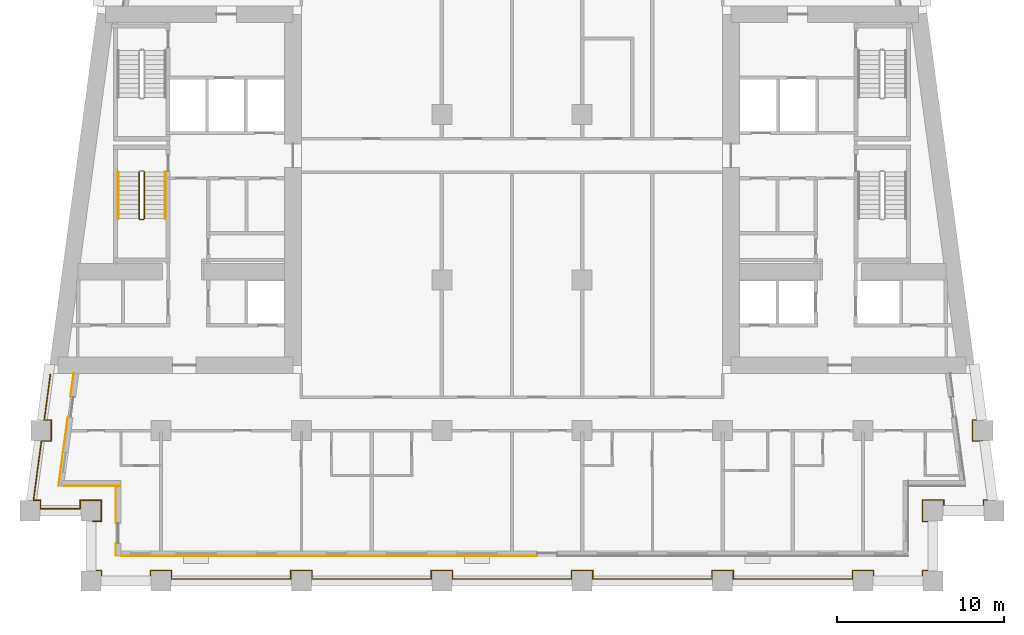
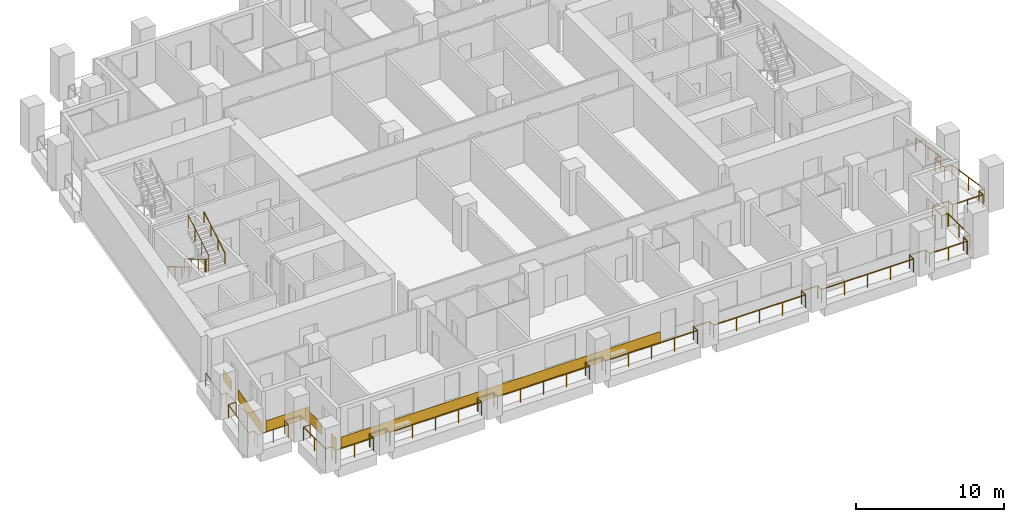
# One storey, part 9 of 13: 6 coverings, 5 railings.
"""IFC4 building model written with IfcOpenShell, lengths in metres."""

from ifc_helpers import new_model, si_unit, direction, frame, origin, origin_2d, place, context, subcontext, project, spatial, rectangle, circle, extrude, material, layer, layer_set, type_object, element, save


model = new_model("IFC4")

# Units and contexts
model_context = context("Model", 3, precision=1e-05, world=origin(), true_north=direction((0.0, 1.0)))
body_context = subcontext(model_context, "Body", "Model", "MODEL_VIEW")
ifc_project = project(units=[si_unit("LENGTHUNIT", "METRE"), si_unit("AREAUNIT", "SQUARE_METRE"), si_unit("VOLUMEUNIT", "CUBIC_METRE"), si_unit("PLANEANGLEUNIT", "RADIAN"), si_unit("MASSUNIT", "GRAM", prefix="KILO")], contexts=[model_context])

# Site, building, storey
site_placement = place(None, origin())
site = spatial("IfcSite", under=ifc_project, at=site_placement, CompositionType="ELEMENT")
building_placement = place(site_placement, origin())
building = spatial("IfcBuilding", under=site, at=building_placement, Name="Candeia Pilgrim Tower and Theatre", CompositionType="ELEMENT")
storey_placement = place(building_placement, frame((0.0, 0.0, 113.199951171875)))
storey = spatial("IfcBuildingStorey", under=building, at=storey_placement, Name="L26", CompositionType="ELEMENT", Elevation=113.199951171875)

# Railings
ifc_material_1 = material(Name="Stainless steel balustrade", Category="steel")
railing_type_1 = type_object("IfcRailingType", Name="G1 loggia guard 1100", PredefinedType="GUARDRAIL", material=ifc_material_1)
railing_1_placement = place(storey_placement, frame((88.320068359375, 101.570068359375, 0.0)))
element("IfcRailing", 1, at=railing_1_placement, inside=storey, type_object=railing_type_1, Name="Guard L26.1", PredefinedType="GUARDRAIL", context=body_context, shape_type="SweptSolid", body=[
    extrude(circle(Radius=0.02392578125, at=origin_2d()), frame((0.0, 0.0, 1.076171875), z_axis=(1.0, 0.0, 0.0), x_axis=(0.0, 1.0, 0.0)), (0.0, 0.0, 1.0), 0.510009765625),
    extrude(circle(Radius=0.02392578125, at=origin_2d()), frame((0.510009765625, 0.0, 1.076171875), z_axis=(0.0, 1.0, 0.0), x_axis=(-1.0, 0.0, 0.0)), (0.0, 0.0, 1.0), 1.260009765625),
    extrude(circle(Radius=0.02392578125, at=origin_2d()), frame((0.510009765625, 1.260009765625, 1.076171875), z_axis=(-1.0, 0.0, 0.0), x_axis=(0.0, -1.0, 0.0)), (0.0, 0.0, 1.0), 1.260009765625),
    extrude(circle(Radius=0.02392578125, at=origin_2d()), frame((-0.75, 1.260009765625, 1.076171875), z_axis=(0.0, -1.0, 0.0), x_axis=(1.0, 0.0, 0.0)), (0.0, 0.0, 1.0), 0.510009765625),
    extrude(circle(Radius=0.02392578125, at=origin_2d()), frame((-0.75, 0.75, 1.076171875), z_axis=(-1.0, 0.0, 0.0), x_axis=(0.0, -1.0, 0.0)), (0.0, 0.0, 1.0), 2.374755859375),
    extrude(circle(Radius=0.02392578125, at=origin_2d()), frame((-3.124755859375, 0.75, 1.076171875), z_axis=(0.0, 1.0, 0.0), x_axis=(-1.0, 0.0, 0.0)), (0.0, 0.0, 1.0), 0.510009765625),
    extrude(circle(Radius=0.02392578125, at=origin_2d()), frame((-3.124755859375, 1.260009765625, 1.076171875), z_axis=(-1.0, 0.0, 0.0), x_axis=(0.0, -1.0, 0.0)), (0.0, 0.0, 1.0), 0.424072265625),
    extrude(circle(Radius=0.02392578125, at=origin_2d()), frame((-3.548828125, 1.260009765625, 1.076171875), z_axis=(0.133417176173, 0.991059966451, 0.0), x_axis=(-0.991059966451, 0.133417176173, 0.0)), (0.0, 0.0, 1.0), 3.572021484375),
    extrude(circle(Radius=0.02392578125, at=origin_2d()), frame((-3.072265625, 4.800048828125, 1.076171875), z_axis=(1.0, 0.0, 0.0), x_axis=(0.0, 1.0, 0.0)), (0.0, 0.0, 1.0), 0.59375),
    extrude(circle(Radius=0.02392578125, at=origin_2d()), frame((-2.478515625, 4.800048828125, 1.076171875), z_axis=(0.0, 1.0, 0.0), x_axis=(-1.0, 0.0, 0.0)), (0.0, 0.0, 1.0), 1.259765625),
    extrude(circle(Radius=0.02392578125, at=origin_2d()), frame((-2.478515625, 6.059814453125, 1.076171875), z_axis=(-1.0, 0.0, 0.0), x_axis=(0.0, -1.0, 0.0)), (0.0, 0.0, 1.0), 0.424072265625),
    extrude(circle(Radius=0.02392578125, at=origin_2d()), frame((-2.902587890625, 6.059814453125, 1.076171875), z_axis=(0.1334220927, 0.991059304572, 0.0), x_axis=(-0.991059304572, 0.1334220927, 0.0)), (0.0, 0.0, 1.0), 2.744873046875),
    extrude(circle(Radius=0.02099609375, at=origin_2d()), origin(), (0.0, 0.0, 1.0), 1.052001953125),
    extrude(circle(Radius=0.02099609375, at=origin_2d()), frame((0.510009765625, 0.0, 0.0)), (0.0, 0.0, 1.0), 1.052001953125),
    extrude(circle(Radius=0.02099609375, at=origin_2d()), frame((0.510009765625, 1.260009765625, 0.0)), (0.0, 0.0, 1.0), 1.052001953125),
    extrude(circle(Radius=0.02099609375, at=origin_2d()), frame((-0.75, 1.260009765625, 0.0)), (0.0, 0.0, 1.0), 1.052001953125),
    extrude(circle(Radius=0.02099609375, at=origin_2d()), frame((-0.75, 0.75, 0.0)), (0.0, 0.0, 1.0), 1.052001953125),
    extrude(circle(Radius=0.02099609375, at=origin_2d()), frame((-1.9375, 0.75, 0.0)), (0.0, 0.0, 1.0), 1.052001953125),
    extrude(circle(Radius=0.02099609375, at=origin_2d()), frame((-3.124755859375, 0.75, 0.0)), (0.0, 0.0, 1.0), 1.052001953125),
    extrude(circle(Radius=0.02099609375, at=origin_2d()), frame((-3.124755859375, 1.260009765625, 0.0)), (0.0, 0.0, 1.0), 1.052001953125),
    extrude(circle(Radius=0.02099609375, at=origin_2d()), frame((-3.548828125, 1.260009765625, 0.0)), (0.0, 0.0, 1.0), 1.052001953125),
    extrude(circle(Radius=0.02099609375, at=origin_2d()), frame((-3.310546875, 3.030029296875, 0.0)), (0.0, 0.0, 1.0), 1.052001953125),
    extrude(circle(Radius=0.02099609375, at=origin_2d()), frame((-3.072265625, 4.800048828125, 0.0)), (0.0, 0.0, 1.0), 1.052001953125),
    extrude(circle(Radius=0.02099609375, at=origin_2d()), frame((-2.478515625, 4.800048828125, 0.0)), (0.0, 0.0, 1.0), 1.052001953125),
    extrude(circle(Radius=0.02099609375, at=origin_2d()), frame((-2.478515625, 6.059814453125, 0.0)), (0.0, 0.0, 1.0), 1.052001953125),
    extrude(circle(Radius=0.02099609375, at=origin_2d()), frame((-2.902587890625, 6.059814453125, 0.0)), (0.0, 0.0, 1.0), 1.052001953125),
    extrude(circle(Radius=0.02099609375, at=origin_2d()), frame((-2.719482421875, 7.419921875, 0.0)), (0.0, 0.0, 1.0), 1.052001953125),
    extrude(circle(Radius=0.02099609375, at=origin_2d()), frame((-2.536376953125, 8.780029296875, 0.0)), (0.0, 0.0, 1.0), 1.052001953125),
])
railing_2_placement = place(storey_placement, frame((141.016357421875, 110.35009765625, 0.0)))
element("IfcRailing", 2, at=railing_2_placement, inside=storey, type_object=railing_type_1, Name="Guard L26.4", PredefinedType="GUARDRAIL", context=body_context, shape_type="SweptSolid", body=[
    extrude(circle(Radius=0.02392578125, at=origin_2d()), frame((0.0, 0.0, 1.076171875), z_axis=(0.1334220927, -0.991059304572, 0.0), x_axis=(0.991059304572, 0.1334220927, 0.0)), (0.0, 0.0, 1.0), 2.744873046875),
    extrude(circle(Radius=0.02392578125, at=origin_2d()), frame((0.3662109375, -2.72021484375, 1.076171875), z_axis=(-1.0, 0.0, 0.0), x_axis=(0.0, -1.0, 0.0)), (0.0, 0.0, 1.0), 0.424072265625),
    extrude(circle(Radius=0.02392578125, at=origin_2d()), frame((-0.057861328125, -2.72021484375, 1.076171875), z_axis=(0.0, -1.0, 0.0), x_axis=(1.0, 0.0, 0.0)), (0.0, 0.0, 1.0), 1.259765625),
    extrude(circle(Radius=0.02392578125, at=origin_2d()), frame((-0.057861328125, -3.97998046875, 1.076171875), z_axis=(1.0, 0.0, 0.0), x_axis=(0.0, 1.0, 0.0)), (0.0, 0.0, 1.0), 0.59375),
    extrude(circle(Radius=0.02392578125, at=origin_2d()), frame((0.535888671875, -3.97998046875, 1.076171875), z_axis=(0.133417176173, -0.991059966451, 0.0), x_axis=(0.991059966451, 0.133417176173, 0.0)), (0.0, 0.0, 1.0), 3.572021484375),
    extrude(circle(Radius=0.02392578125, at=origin_2d()), frame((1.012451171875, -7.52001953125, 1.076171875), z_axis=(-1.0, 0.0, 0.0), x_axis=(0.0, -1.0, 0.0)), (0.0, 0.0, 1.0), 0.424072265625),
    extrude(circle(Radius=0.02392578125, at=origin_2d()), frame((0.58837890625, -7.52001953125, 1.076171875), z_axis=(0.0, -1.0, 0.0), x_axis=(1.0, 0.0, 0.0)), (0.0, 0.0, 1.0), 0.510009765625),
    extrude(circle(Radius=0.02392578125, at=origin_2d()), frame((0.58837890625, -8.030029296875, 1.076171875), z_axis=(-1.0, 0.0, 0.0), x_axis=(0.0, -1.0, 0.0)), (0.0, 0.0, 1.0), 2.374755859375),
    extrude(circle(Radius=0.02392578125, at=origin_2d()), frame((-1.786376953125, -8.030029296875, 1.076171875), z_axis=(0.0, 1.0, 0.0), x_axis=(-1.0, 0.0, 0.0)), (0.0, 0.0, 1.0), 0.510009765625),
    extrude(circle(Radius=0.02392578125, at=origin_2d()), frame((-1.786376953125, -7.52001953125, 1.076171875), z_axis=(-1.0, 0.0, 0.0), x_axis=(0.0, -1.0, 0.0)), (0.0, 0.0, 1.0), 1.260009765625),
    extrude(circle(Radius=0.02392578125, at=origin_2d()), frame((-3.04638671875, -7.52001953125, 1.076171875), z_axis=(0.0, -1.0, 0.0), x_axis=(1.0, 0.0, 0.0)), (0.0, 0.0, 1.0), 1.260009765625),
    extrude(circle(Radius=0.02392578125, at=origin_2d()), frame((-3.04638671875, -8.780029296875, 1.076171875), z_axis=(1.0, 0.0, 0.0), x_axis=(0.0, 1.0, 0.0)), (0.0, 0.0, 1.0), 0.510009765625),
    extrude(circle(Radius=0.02392578125, at=origin_2d()), frame((-2.536376953125, -8.780029296875, 1.076171875), z_axis=(0.0, -1.0, 0.0), x_axis=(1.0, 0.0, 0.0)), (0.0, 0.0, 1.0), 2.940185546875),
    extrude(circle(Radius=0.02392578125, at=origin_2d()), frame((-2.536376953125, -11.72021484375, 1.076171875), z_axis=(-1.0, 0.0, 0.0), x_axis=(0.0, -1.0, 0.0)), (0.0, 0.0, 1.0), 0.510009765625),
    extrude(circle(Radius=0.02392578125, at=origin_2d()), frame((-3.04638671875, -11.72021484375, 1.076171875), z_axis=(0.0, -1.0, 0.0), x_axis=(1.0, 0.0, 0.0)), (0.0, 0.0, 1.0), 0.509765625),
    extrude(circle(Radius=0.02392578125, at=origin_2d()), frame((-3.04638671875, -12.22998046875, 1.076171875), z_axis=(-1.0, 0.0, 0.0), x_axis=(0.0, -1.0, 0.0)), (0.0, 0.0, 1.0), 2.93994140625),
    extrude(circle(Radius=0.02392578125, at=origin_2d()), frame((-5.986328125, -12.22998046875, 1.076171875), z_axis=(0.0, 1.0, 0.0), x_axis=(-1.0, 0.0, 0.0)), (0.0, 0.0, 1.0), 0.509765625),
    extrude(circle(Radius=0.02392578125, at=origin_2d()), frame((-5.986328125, -11.72021484375, 1.076171875), z_axis=(-1.0, 0.0, 0.0), x_axis=(0.0, -1.0, 0.0)), (0.0, 0.0, 1.0), 1.260009765625),
    extrude(circle(Radius=0.02392578125, at=origin_2d()), frame((-7.246337890625, -11.72021484375, 1.076171875), z_axis=(0.0, -1.0, 0.0), x_axis=(1.0, 0.0, 0.0)), (0.0, 0.0, 1.0), 0.509765625),
    extrude(circle(Radius=0.02392578125, at=origin_2d()), frame((-7.246337890625, -12.22998046875, 1.076171875), z_axis=(-1.0, 0.0, 0.0), x_axis=(0.0, -1.0, 0.0)), (0.0, 0.0, 1.0), 7.14013671875),
    extrude(circle(Radius=0.02392578125, at=origin_2d()), frame((-14.386474609375, -12.22998046875, 1.076171875), z_axis=(0.0, 1.0, 0.0), x_axis=(-1.0, 0.0, 0.0)), (0.0, 0.0, 1.0), 0.509765625),
    extrude(circle(Radius=0.02392578125, at=origin_2d()), frame((-14.386474609375, -11.72021484375, 1.076171875), z_axis=(-1.0, 0.0, 0.0), x_axis=(0.0, -1.0, 0.0)), (0.0, 0.0, 1.0), 1.259765625),
    extrude(circle(Radius=0.02392578125, at=origin_2d()), frame((-15.646240234375, -11.72021484375, 1.076171875), z_axis=(0.0, -1.0, 0.0), x_axis=(1.0, 0.0, 0.0)), (0.0, 0.0, 1.0), 0.509765625),
    extrude(circle(Radius=0.02392578125, at=origin_2d()), frame((-15.646240234375, -12.22998046875, 1.076171875), z_axis=(-1.0, 0.0, 0.0), x_axis=(0.0, -1.0, 0.0)), (0.0, 0.0, 1.0), 7.14013671875),
    extrude(circle(Radius=0.02392578125, at=origin_2d()), frame((-22.786376953125, -12.22998046875, 1.076171875), z_axis=(0.0, 1.0, 0.0), x_axis=(-1.0, 0.0, 0.0)), (0.0, 0.0, 1.0), 0.509765625),
    extrude(circle(Radius=0.02392578125, at=origin_2d()), frame((-22.786376953125, -11.72021484375, 1.076171875), z_axis=(-1.0, 0.0, 0.0), x_axis=(0.0, -1.0, 0.0)), (0.0, 0.0, 1.0), 1.260009765625),
    extrude(circle(Radius=0.02392578125, at=origin_2d()), frame((-24.04638671875, -11.72021484375, 1.076171875), z_axis=(0.0, -1.0, 0.0), x_axis=(1.0, 0.0, 0.0)), (0.0, 0.0, 1.0), 0.509765625),
    extrude(circle(Radius=0.02392578125, at=origin_2d()), frame((-24.04638671875, -12.22998046875, 1.076171875), z_axis=(-1.0, 0.0, 0.0), x_axis=(0.0, -1.0, 0.0)), (0.0, 0.0, 1.0), 7.139892578125),
    extrude(circle(Radius=0.02392578125, at=origin_2d()), frame((-31.186279296875, -12.22998046875, 1.076171875), z_axis=(0.0, 1.0, 0.0), x_axis=(-1.0, 0.0, 0.0)), (0.0, 0.0, 1.0), 0.509765625),
    extrude(circle(Radius=0.02392578125, at=origin_2d()), frame((-31.186279296875, -11.72021484375, 1.076171875), z_axis=(-1.0, 0.0, 0.0), x_axis=(0.0, -1.0, 0.0)), (0.0, 0.0, 1.0), 1.260009765625),
    extrude(circle(Radius=0.02392578125, at=origin_2d()), frame((-32.4462890625, -11.72021484375, 1.076171875), z_axis=(0.0, -1.0, 0.0), x_axis=(1.0, 0.0, 0.0)), (0.0, 0.0, 1.0), 0.509765625),
    extrude(circle(Radius=0.02392578125, at=origin_2d()), frame((-32.4462890625, -12.22998046875, 1.076171875), z_axis=(-1.0, 0.0, 0.0), x_axis=(0.0, -1.0, 0.0)), (0.0, 0.0, 1.0), 7.14013671875),
    extrude(circle(Radius=0.02392578125, at=origin_2d()), frame((-39.58642578125, -12.22998046875, 1.076171875), z_axis=(0.0, 1.0, 0.0), x_axis=(-1.0, 0.0, 0.0)), (0.0, 0.0, 1.0), 0.509765625),
    extrude(circle(Radius=0.02392578125, at=origin_2d()), frame((-39.58642578125, -11.72021484375, 1.076171875), z_axis=(-1.0, 0.0, 0.0), x_axis=(0.0, -1.0, 0.0)), (0.0, 0.0, 1.0), 1.260009765625),
    extrude(circle(Radius=0.02392578125, at=origin_2d()), frame((-40.846435546875, -11.72021484375, 1.076171875), z_axis=(0.0, -1.0, 0.0), x_axis=(1.0, 0.0, 0.0)), (0.0, 0.0, 1.0), 0.509765625),
    extrude(circle(Radius=0.02392578125, at=origin_2d()), frame((-40.846435546875, -12.22998046875, 1.076171875), z_axis=(-1.0, 0.0, 0.0), x_axis=(0.0, -1.0, 0.0)), (0.0, 0.0, 1.0), 7.139892578125),
    extrude(circle(Radius=0.02392578125, at=origin_2d()), frame((-47.986328125, -12.22998046875, 1.076171875), z_axis=(0.0, 1.0, 0.0), x_axis=(-1.0, 0.0, 0.0)), (0.0, 0.0, 1.0), 0.509765625),
    extrude(circle(Radius=0.02392578125, at=origin_2d()), frame((-47.986328125, -11.72021484375, 1.076171875), z_axis=(-1.0, 0.0, 0.0), x_axis=(0.0, -1.0, 0.0)), (0.0, 0.0, 1.0), 1.260009765625),
    extrude(circle(Radius=0.02392578125, at=origin_2d()), frame((-49.246337890625, -11.72021484375, 1.076171875), z_axis=(0.0, -1.0, 0.0), x_axis=(1.0, 0.0, 0.0)), (0.0, 0.0, 1.0), 0.509765625),
    extrude(circle(Radius=0.02392578125, at=origin_2d()), frame((-49.246337890625, -12.22998046875, 1.076171875), z_axis=(-1.0, 0.0, 0.0), x_axis=(0.0, -1.0, 0.0)), (0.0, 0.0, 1.0), 2.93994140625),
    extrude(circle(Radius=0.02392578125, at=origin_2d()), frame((-52.186279296875, -12.22998046875, 1.076171875), z_axis=(0.0, 1.0, 0.0), x_axis=(-1.0, 0.0, 0.0)), (0.0, 0.0, 1.0), 0.509765625),
    extrude(circle(Radius=0.02392578125, at=origin_2d()), frame((-52.186279296875, -11.72021484375, 1.076171875), z_axis=(-1.0, 0.0, 0.0), x_axis=(0.0, -1.0, 0.0)), (0.0, 0.0, 1.0), 0.510009765625),
    extrude(circle(Radius=0.02392578125, at=origin_2d()), frame((-52.6962890625, -11.72021484375, 1.076171875), z_axis=(0.0, 1.0, 0.0), x_axis=(-1.0, 0.0, 0.0)), (0.0, 0.0, 1.0), 2.940185546875),
    extrude(circle(Radius=0.02099609375, at=origin_2d()), origin(), (0.0, 0.0, 1.0), 1.052001953125),
    extrude(circle(Radius=0.02099609375, at=origin_2d()), frame((0.18310546875, -1.360107421875, 0.0)), (0.0, 0.0, 1.0), 1.052001953125),
    extrude(circle(Radius=0.02099609375, at=origin_2d()), frame((0.3662109375, -2.72021484375, 0.0)), (0.0, 0.0, 1.0), 1.052001953125),
    extrude(circle(Radius=0.02099609375, at=origin_2d()), frame((-0.057861328125, -2.72021484375, 0.0)), (0.0, 0.0, 1.0), 1.052001953125),
    extrude(circle(Radius=0.02099609375, at=origin_2d()), frame((-0.057861328125, -3.97998046875, 0.0)), (0.0, 0.0, 1.0), 1.052001953125),
    extrude(circle(Radius=0.02099609375, at=origin_2d()), frame((0.535888671875, -3.97998046875, 0.0)), (0.0, 0.0, 1.0), 1.052001953125),
    extrude(circle(Radius=0.02099609375, at=origin_2d()), frame((0.774169921875, -5.75, 0.0)), (0.0, 0.0, 1.0), 1.052001953125),
    extrude(circle(Radius=0.02099609375, at=origin_2d()), frame((1.012451171875, -7.52001953125, 0.0)), (0.0, 0.0, 1.0), 1.052001953125),
    extrude(circle(Radius=0.02099609375, at=origin_2d()), frame((0.58837890625, -7.52001953125, 0.0)), (0.0, 0.0, 1.0), 1.052001953125),
    extrude(circle(Radius=0.02099609375, at=origin_2d()), frame((0.58837890625, -8.030029296875, 0.0)), (0.0, 0.0, 1.0), 1.052001953125),
    extrude(circle(Radius=0.02099609375, at=origin_2d()), frame((-0.59912109375, -8.030029296875, 0.0)), (0.0, 0.0, 1.0), 1.052001953125),
    extrude(circle(Radius=0.02099609375, at=origin_2d()), frame((-1.786376953125, -8.030029296875, 0.0)), (0.0, 0.0, 1.0), 1.052001953125),
    extrude(circle(Radius=0.02099609375, at=origin_2d()), frame((-1.786376953125, -7.52001953125, 0.0)), (0.0, 0.0, 1.0), 1.052001953125),
    extrude(circle(Radius=0.02099609375, at=origin_2d()), frame((-3.04638671875, -7.52001953125, 0.0)), (0.0, 0.0, 1.0), 1.052001953125),
    extrude(circle(Radius=0.02099609375, at=origin_2d()), frame((-3.04638671875, -8.780029296875, 0.0)), (0.0, 0.0, 1.0), 1.052001953125),
    extrude(circle(Radius=0.02099609375, at=origin_2d()), frame((-2.536376953125, -8.780029296875, 0.0)), (0.0, 0.0, 1.0), 1.052001953125),
    extrude(circle(Radius=0.02099609375, at=origin_2d()), frame((-2.536376953125, -10.25, 0.0)), (0.0, 0.0, 1.0), 1.052001953125),
    extrude(circle(Radius=0.02099609375, at=origin_2d()), frame((-2.536376953125, -11.72021484375, 0.0)), (0.0, 0.0, 1.0), 1.052001953125),
    extrude(circle(Radius=0.02099609375, at=origin_2d()), frame((-3.04638671875, -11.72021484375, 0.0)), (0.0, 0.0, 1.0), 1.052001953125),
    extrude(circle(Radius=0.02099609375, at=origin_2d()), frame((-3.04638671875, -12.22998046875, 0.0)), (0.0, 0.0, 1.0), 1.052001953125),
    extrude(circle(Radius=0.02099609375, at=origin_2d()), frame((-4.516357421875, -12.22998046875, 0.0)), (0.0, 0.0, 1.0), 1.052001953125),
    extrude(circle(Radius=0.02099609375, at=origin_2d()), frame((-5.986328125, -12.22998046875, 0.0)), (0.0, 0.0, 1.0), 1.052001953125),
    extrude(circle(Radius=0.02099609375, at=origin_2d()), frame((-5.986328125, -11.72021484375, 0.0)), (0.0, 0.0, 1.0), 1.052001953125),
    extrude(circle(Radius=0.02099609375, at=origin_2d()), frame((-7.246337890625, -11.72021484375, 0.0)), (0.0, 0.0, 1.0), 1.052001953125),
    extrude(circle(Radius=0.02099609375, at=origin_2d()), frame((-7.246337890625, -12.22998046875, 0.0)), (0.0, 0.0, 1.0), 1.052001953125),
    extrude(circle(Radius=0.02099609375, at=origin_2d()), frame((-9.03125, -12.22998046875, 0.0)), (0.0, 0.0, 1.0), 1.052001953125),
    extrude(circle(Radius=0.02099609375, at=origin_2d()), frame((-10.81640625, -12.22998046875, 0.0)), (0.0, 0.0, 1.0), 1.052001953125),
    extrude(circle(Radius=0.02099609375, at=origin_2d()), frame((-12.6015625, -12.22998046875, 0.0)), (0.0, 0.0, 1.0), 1.052001953125),
    extrude(circle(Radius=0.02099609375, at=origin_2d()), frame((-14.386474609375, -12.22998046875, 0.0)), (0.0, 0.0, 1.0), 1.052001953125),
    extrude(circle(Radius=0.02099609375, at=origin_2d()), frame((-14.386474609375, -11.72021484375, 0.0)), (0.0, 0.0, 1.0), 1.052001953125),
    extrude(circle(Radius=0.02099609375, at=origin_2d()), frame((-15.646240234375, -11.72021484375, 0.0)), (0.0, 0.0, 1.0), 1.052001953125),
    extrude(circle(Radius=0.02099609375, at=origin_2d()), frame((-15.646240234375, -12.22998046875, 0.0)), (0.0, 0.0, 1.0), 1.052001953125),
    extrude(circle(Radius=0.02099609375, at=origin_2d()), frame((-17.43115234375, -12.22998046875, 0.0)), (0.0, 0.0, 1.0), 1.052001953125),
    extrude(circle(Radius=0.02099609375, at=origin_2d()), frame((-19.21630859375, -12.22998046875, 0.0)), (0.0, 0.0, 1.0), 1.052001953125),
    extrude(circle(Radius=0.02099609375, at=origin_2d()), frame((-21.00146484375, -12.22998046875, 0.0)), (0.0, 0.0, 1.0), 1.052001953125),
    extrude(circle(Radius=0.02099609375, at=origin_2d()), frame((-22.786376953125, -12.22998046875, 0.0)), (0.0, 0.0, 1.0), 1.052001953125),
    extrude(circle(Radius=0.02099609375, at=origin_2d()), frame((-22.786376953125, -11.72021484375, 0.0)), (0.0, 0.0, 1.0), 1.052001953125),
    extrude(circle(Radius=0.02099609375, at=origin_2d()), frame((-24.04638671875, -11.72021484375, 0.0)), (0.0, 0.0, 1.0), 1.052001953125),
    extrude(circle(Radius=0.02099609375, at=origin_2d()), frame((-24.04638671875, -12.22998046875, 0.0)), (0.0, 0.0, 1.0), 1.052001953125),
    extrude(circle(Radius=0.02099609375, at=origin_2d()), frame((-25.831298828125, -12.22998046875, 0.0)), (0.0, 0.0, 1.0), 1.052001953125),
    extrude(circle(Radius=0.02099609375, at=origin_2d()), frame((-27.6162109375, -12.22998046875, 0.0)), (0.0, 0.0, 1.0), 1.052001953125),
    extrude(circle(Radius=0.02099609375, at=origin_2d()), frame((-29.4013671875, -12.22998046875, 0.0)), (0.0, 0.0, 1.0), 1.052001953125),
    extrude(circle(Radius=0.02099609375, at=origin_2d()), frame((-31.186279296875, -12.22998046875, 0.0)), (0.0, 0.0, 1.0), 1.052001953125),
    extrude(circle(Radius=0.02099609375, at=origin_2d()), frame((-31.186279296875, -11.72021484375, 0.0)), (0.0, 0.0, 1.0), 1.052001953125),
    extrude(circle(Radius=0.02099609375, at=origin_2d()), frame((-32.4462890625, -11.72021484375, 0.0)), (0.0, 0.0, 1.0), 1.052001953125),
    extrude(circle(Radius=0.02099609375, at=origin_2d()), frame((-32.4462890625, -12.22998046875, 0.0)), (0.0, 0.0, 1.0), 1.052001953125),
    extrude(circle(Radius=0.02099609375, at=origin_2d()), frame((-34.2314453125, -12.22998046875, 0.0)), (0.0, 0.0, 1.0), 1.052001953125),
    extrude(circle(Radius=0.02099609375, at=origin_2d()), frame((-36.016357421875, -12.22998046875, 0.0)), (0.0, 0.0, 1.0), 1.052001953125),
    extrude(circle(Radius=0.02099609375, at=origin_2d()), frame((-37.80126953125, -12.22998046875, 0.0)), (0.0, 0.0, 1.0), 1.052001953125),
    extrude(circle(Radius=0.02099609375, at=origin_2d()), frame((-39.58642578125, -12.22998046875, 0.0)), (0.0, 0.0, 1.0), 1.052001953125),
    extrude(circle(Radius=0.02099609375, at=origin_2d()), frame((-39.58642578125, -11.72021484375, 0.0)), (0.0, 0.0, 1.0), 1.052001953125),
    extrude(circle(Radius=0.02099609375, at=origin_2d()), frame((-40.846435546875, -11.72021484375, 0.0)), (0.0, 0.0, 1.0), 1.052001953125),
    extrude(circle(Radius=0.02099609375, at=origin_2d()), frame((-40.846435546875, -12.22998046875, 0.0)), (0.0, 0.0, 1.0), 1.052001953125),
    extrude(circle(Radius=0.02099609375, at=origin_2d()), frame((-42.63134765625, -12.22998046875, 0.0)), (0.0, 0.0, 1.0), 1.052001953125),
    extrude(circle(Radius=0.02099609375, at=origin_2d()), frame((-44.41650390625, -12.22998046875, 0.0)), (0.0, 0.0, 1.0), 1.052001953125),
    extrude(circle(Radius=0.02099609375, at=origin_2d()), frame((-46.201416015625, -12.22998046875, 0.0)), (0.0, 0.0, 1.0), 1.052001953125),
    extrude(circle(Radius=0.02099609375, at=origin_2d()), frame((-47.986328125, -12.22998046875, 0.0)), (0.0, 0.0, 1.0), 1.052001953125),
    extrude(circle(Radius=0.02099609375, at=origin_2d()), frame((-47.986328125, -11.72021484375, 0.0)), (0.0, 0.0, 1.0), 1.052001953125),
    extrude(circle(Radius=0.02099609375, at=origin_2d()), frame((-49.246337890625, -11.72021484375, 0.0)), (0.0, 0.0, 1.0), 1.052001953125),
    extrude(circle(Radius=0.02099609375, at=origin_2d()), frame((-49.246337890625, -12.22998046875, 0.0)), (0.0, 0.0, 1.0), 1.052001953125),
    extrude(circle(Radius=0.02099609375, at=origin_2d()), frame((-50.71630859375, -12.22998046875, 0.0)), (0.0, 0.0, 1.0), 1.052001953125),
    extrude(circle(Radius=0.02099609375, at=origin_2d()), frame((-52.186279296875, -12.22998046875, 0.0)), (0.0, 0.0, 1.0), 1.052001953125),
    extrude(circle(Radius=0.02099609375, at=origin_2d()), frame((-52.186279296875, -11.72021484375, 0.0)), (0.0, 0.0, 1.0), 1.052001953125),
    extrude(circle(Radius=0.02099609375, at=origin_2d()), frame((-52.6962890625, -11.72021484375, 0.0)), (0.0, 0.0, 1.0), 1.052001953125),
    extrude(circle(Radius=0.02099609375, at=origin_2d()), frame((-52.6962890625, -10.25, 0.0)), (0.0, 0.0, 1.0), 1.052001953125),
    extrude(circle(Radius=0.02099609375, at=origin_2d()), frame((-52.6962890625, -8.780029296875, 0.0)), (0.0, 0.0, 1.0), 1.052001953125),
])

# Coverings
ifc_material_2 = material(Name="Glazed ceramic tile red")
ifc_layer = layer(ifc_material_2, 0.02001953125)
ifc_layer_set = layer_set([ifc_layer], Name="Glazed ceramic tile red")
covering_type = type_object("IfcCoveringType", Name="Glazed ceramic tile red", PredefinedType="CLADDING", material=ifc_layer_set)
covering_1_placement = place(storey_placement, frame((102.4599609375, 99.489990234375, 0.0), z_axis=(0.0, 0.0, 1.0), x_axis=(1.0, 0.0, 0.0)))
element("IfcCovering", 3, at=covering_1_placement, inside=storey, type_object=covering_type, Name="Tile cladding red L26", PredefinedType="CLADDING", context=body_context, shape_type="SweptSolid", body=[
    extrude(rectangle(XDim=24.8798828125, YDim=0.02001953125, at=origin_2d()), origin(), (0.0, 0.0, 1.0), 0.89990234375),
])
covering_2_placement = place(storey_placement, frame((87.0810546875, 109.71875, 0.0), z_axis=(0.0, 0.0, 1.0), x_axis=(-0.133412012145, -0.991060661622, 0.0)))
element("IfcCovering", 4, at=covering_2_placement, inside=storey, type_object=covering_type, Name="Tile cladding red L26", PredefinedType="CLADDING", context=body_context, shape_type="SweptSolid", body=[
    extrude(rectangle(XDim=1.41796875, YDim=0.02001953125, at=origin_2d()), origin(), (0.0, 0.0, 1.0), 0.89990234375),
])
covering_3_placement = place(storey_placement, frame((86.548583984375, 105.763916015625, 0.0), z_axis=(0.0, 0.0, 1.0), x_axis=(-0.133412012145, -0.991060661622, 0.0)))
element("IfcCovering", 5, at=covering_3_placement, inside=storey, type_object=covering_type, Name="Tile cladding red L26", PredefinedType="CLADDING", context=body_context, shape_type="SweptSolid", body=[
    extrude(rectangle(XDim=4.16259765625, YDim=0.02001953125, at=origin_2d()), origin(), (0.0, 0.0, 1.0), 0.89990234375),
])
covering_4_placement = place(storey_placement, frame((88.311279296875, 103.68994140625, 0.0), z_axis=(0.0, 0.0, 1.0), x_axis=(1.0, 0.0, 0.0)))
element("IfcCovering", 6, at=covering_4_placement, inside=storey, type_object=covering_type, Name="Tile cladding red L26", PredefinedType="CLADDING", context=body_context, shape_type="SweptSolid", body=[
    extrude(rectangle(XDim=3.377685546875, YDim=0.02001953125, at=origin_2d()), origin(), (0.0, 0.0, 1.0), 0.89990234375),
])
covering_5_placement = place(storey_placement, frame((89.68994140625, 102.56494140625, 0.0), z_axis=(0.0, 0.0, 1.0), x_axis=(0.0, -1.0, 0.0)))
element("IfcCovering", 7, at=covering_5_placement, inside=storey, type_object=covering_type, Name="Tile cladding red L26", PredefinedType="CLADDING", context=body_context, shape_type="SweptSolid", body=[
    extrude(rectangle(XDim=2.22998046875, YDim=0.02001953125, at=origin_2d()), origin(), (0.0, 0.0, 1.0), 0.89990234375),
])
covering_6_placement = place(storey_placement, frame((89.68994140625, 99.875, 0.0), z_axis=(0.0, 0.0, 1.0), x_axis=(0.0, -1.0, 0.0)))
element("IfcCovering", 8, at=covering_6_placement, inside=storey, type_object=covering_type, Name="Tile cladding red L26", PredefinedType="CLADDING", context=body_context, shape_type="SweptSolid", body=[
    extrude(rectangle(XDim=0.75, YDim=0.02001953125, at=origin_2d()), origin(), (0.0, 0.0, 1.0), 0.89990234375),
])

# Railings
railing_type_2 = type_object("IfcRailingType", Name="RL-GUARD-1100", PredefinedType="GUARDRAIL", material=ifc_material_1)
railing_3_placement = place(storey_placement, frame((91.10205078125, 122.47509765625, 0.168212890625)))
element("IfcRailing", 9, at=railing_3_placement, inside=storey, type_object=railing_type_2, Name="L26 ST1 stair guard 1", PredefinedType="GUARDRAIL", context=body_context, shape_type="SweptSolid", body=[
    extrude(circle(Radius=0.02392578125, at=origin_2d()), frame((0.0, 0.0, 1.076171875), z_axis=(0.0, -0.857242210791, 0.514913383045), x_axis=(1.0, 0.0, 0.0)), (0.0, 0.0, 1.0), 3.266357421875),
    extrude(circle(Radius=0.02392578125, at=origin_2d()), frame((0.0, -2.800048828125, 2.7578125), z_axis=(0.707106781187, -0.707106781187, 0.0), x_axis=(0.707106781187, 0.707106781187, 0.0)), (0.0, 0.0, 1.0), 0.07080078125),
    extrude(circle(Radius=0.02392578125, at=origin_2d()), frame((0.050048828125, -2.85009765625, 2.7578125), z_axis=(1.0, 0.0, 0.0), x_axis=(0.0, 1.0, 0.0)), (0.0, 0.0, 1.0), 0.199951171875),
    extrude(circle(Radius=0.02392578125, at=origin_2d()), frame((0.25, -2.85009765625, 2.7578125), z_axis=(0.274243871929, 0.274243871929, 0.92172696468), x_axis=(-0.707106781187, 0.707106781187, 0.0)), (0.0, 0.0, 1.0), 0.1826171875),
    extrude(circle(Radius=0.02392578125, at=origin_2d()), frame((0.300048828125, -2.800048828125, 2.92626953125), z_axis=(0.0, 0.857275202839, 0.514858452973), x_axis=(-1.0, 0.0, 0.0)), (0.0, 0.0, 1.0), 3.26611328125),
    extrude(circle(Radius=0.02099609375, at=origin_2d()), origin(), (0.0, 0.0, 1.0), 1.052001953125),
    extrude(circle(Radius=0.02099609375, at=origin_2d()), frame((0.0, -0.933349609375, 0.560546875)), (0.0, 0.0, 1.0), 1.052001953125),
    extrude(circle(Radius=0.02099609375, at=origin_2d()), frame((0.0, -1.86669921875, 1.121337890625)), (0.0, 0.0, 1.0), 1.052001953125),
    extrude(circle(Radius=0.02099609375, at=origin_2d()), frame((0.0, -2.800048828125, 1.681884765625)), (0.0, 0.0, 1.0), 1.052001953125),
    extrude(circle(Radius=0.02099609375, at=origin_2d()), frame((0.050048828125, -2.85009765625, 1.681884765625)), (0.0, 0.0, 1.0), 1.052001953125),
    extrude(circle(Radius=0.02099609375, at=origin_2d()), frame((0.25, -2.85009765625, 1.681884765625)), (0.0, 0.0, 1.0), 1.052001953125),
    extrude(circle(Radius=0.02099609375, at=origin_2d()), frame((0.300048828125, -2.800048828125, 1.85009765625)), (0.0, 0.0, 1.0), 1.052001953125),
    extrude(circle(Radius=0.02099609375, at=origin_2d()), frame((0.300048828125, -1.86669921875, 2.41064453125)), (0.0, 0.0, 1.0), 1.052001953125),
    extrude(circle(Radius=0.02099609375, at=origin_2d()), frame((0.300048828125, -0.933349609375, 2.97119140625)), (0.0, 0.0, 1.0), 1.052001953125),
    extrude(circle(Radius=0.02099609375, at=origin_2d()), frame((0.300048828125, 0.0, 3.53173828125)), (0.0, 0.0, 1.0), 1.052001953125),
])
ifc_material_3 = material(Name="Stainless steel handrail", Category="steel")
railing_type_3 = type_object("IfcRailingType", Name="RL-HANDRAIL-900", PredefinedType="HANDRAIL", material=ifc_material_3)
railing_4_placement = place(storey_placement, frame((89.85205078125, 122.47509765625, 0.168212890625)))
element("IfcRailing", 10, at=railing_4_placement, inside=storey, type_object=railing_type_3, Name="L26 ST1 stair handrail 1", PredefinedType="HANDRAIL", context=body_context, shape_type="SweptSolid", body=[
    extrude(circle(Radius=0.02392578125, at=origin_2d()), frame((0.0, 0.0, 0.8759765625), z_axis=(0.0, -0.857242210791, 0.514913383045), x_axis=(1.0, 0.0, 0.0)), (0.0, 0.0, 1.0), 3.266357421875),
    extrude(circle(Radius=0.02099609375, at=origin_2d()), origin(), (0.0, 0.0, 1.0), 0.851806640625),
    extrude(circle(Radius=0.02099609375, at=origin_2d()), frame((0.0, -0.933349609375, 0.560546875)), (0.0, 0.0, 1.0), 0.851806640625),
    extrude(circle(Radius=0.02099609375, at=origin_2d()), frame((0.0, -1.86669921875, 1.121337890625)), (0.0, 0.0, 1.0), 0.851806640625),
    extrude(circle(Radius=0.02099609375, at=origin_2d()), frame((0.0, -2.800048828125, 1.681884765625)), (0.0, 0.0, 1.0), 0.851806640625),
])
railing_5_placement = place(storey_placement, frame((92.652099609375, 119.675048828125, 2.018310546875)))
element("IfcRailing", 11, at=railing_5_placement, inside=storey, type_object=railing_type_3, Name="L26 ST1 stair handrail 2", PredefinedType="HANDRAIL", context=body_context, shape_type="SweptSolid", body=[
    extrude(circle(Radius=0.02392578125, at=origin_2d()), frame((0.0, 0.0, 0.8759765625), z_axis=(0.0, 0.857275202839, 0.514858452973), x_axis=(-1.0, 0.0, 0.0)), (0.0, 0.0, 1.0), 3.26611328125),
    extrude(circle(Radius=0.02099609375, at=origin_2d()), origin(), (0.0, 0.0, 1.0), 0.851806640625),
    extrude(circle(Radius=0.02099609375, at=origin_2d()), frame((0.0, 0.933349609375, 0.560546875)), (0.0, 0.0, 1.0), 0.851806640625),
    extrude(circle(Radius=0.02099609375, at=origin_2d()), frame((0.0, 1.86669921875, 1.12109375)), (0.0, 0.0, 1.0), 0.851806640625),
    extrude(circle(Radius=0.02099609375, at=origin_2d()), frame((0.0, 2.800048828125, 1.681640625)), (0.0, 0.0, 1.0), 0.851806640625),
])

save(model, "model.ifc")
